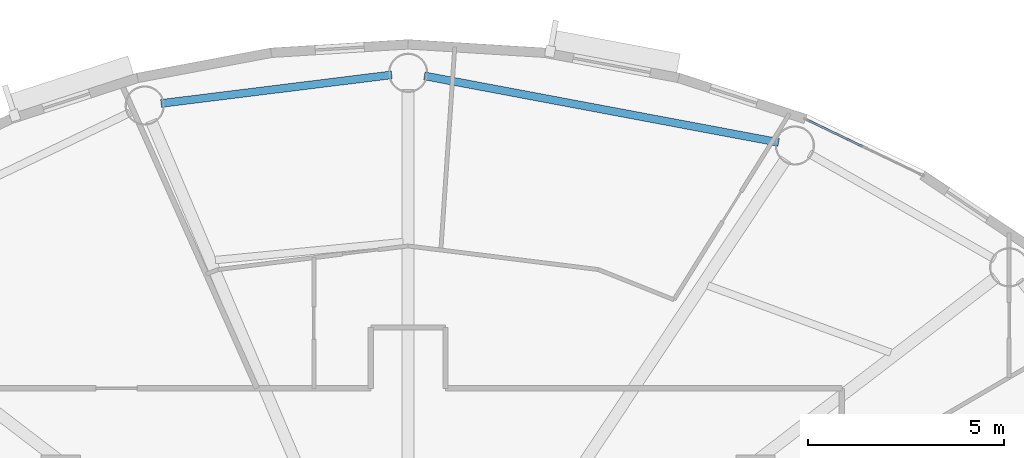
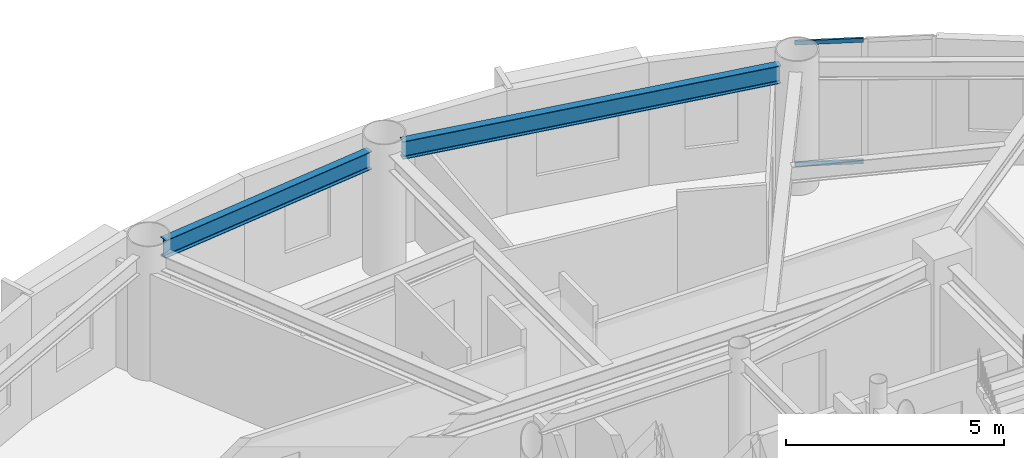
# One storey, part 4 of 17: 2 beams, 2 members, 1 element without a shape of its own.
"""IFC4 building model written with IfcOpenShell, lengths in metres."""

from ifc_helpers import new_model, si_unit, direction, frame, origin, origin_2d, place, context, subcontext, project, spatial, hollow_rectangle, i_section, extrude, source, transform, mapped, material, layer, layer_set, material_profile, profile_set, type_object, element, aggregate, save


model = new_model("IFC4")

# Units and contexts
model_context = context("Model", 3, precision=1e-05, world=origin(), true_north=direction((0.0, 1.0)))
body_context = subcontext(model_context, "Body", "Model", "MODEL_VIEW")
ifc_project = project(units=[si_unit("LENGTHUNIT", "METRE"), si_unit("AREAUNIT", "SQUARE_METRE"), si_unit("VOLUMEUNIT", "CUBIC_METRE"), si_unit("PLANEANGLEUNIT", "RADIAN"), si_unit("MASSUNIT", "GRAM", prefix="KILO")], contexts=[model_context])

# Site, building, storey
site_placement = place(None, origin())
site = spatial("IfcSite", under=ifc_project, at=site_placement, CompositionType="ELEMENT")
building_placement = place(site_placement, origin())
building = spatial("IfcBuilding", under=site, at=building_placement, Name="Linh Dai School and Residence Tower", CompositionType="ELEMENT")
storey_placement = place(building_placement, frame((0.0, 0.0, 314.25)))
storey = spatial("IfcBuildingStorey", under=building, at=storey_placement, Name="L78", CompositionType="ELEMENT", Elevation=314.25)

# Beams
ifc_material_1 = material(Name="Structural Steel S355JR", Category="steel")
ifc_material_profile_1 = material_profile(ifc_material_1, i_section(OverallWidth=0.199951171875, OverallDepth=0.5, WebThickness=0.01025390625, FlangeThickness=0.01611328125, FilletRadius=0.02099609375, at=origin_2d()), Name="IPE 500")
ifc_profile_set_1 = profile_set([ifc_material_profile_1], Name="Structural Steel S355JR")
beam_type = type_object("IfcBeamType", Name="BM-RB50", PredefinedType="BEAM", material=ifc_profile_set_1)
beam_1_placement = place(storey_placement, frame((45.441650390625, 41.916259765625, 3.199951171875), z_axis=(-0.982805333306, 0.184644731378, 0.0), x_axis=(-0.184644731378, -0.982805333306, 0.0)))
element("IfcBeam", 1, at=beam_1_placement, inside=storey, type_object=beam_type, Name="L78 Perimeter Elliptical Ring Beam 04", PredefinedType="BEAM", context=body_context, shape_type="SweptSolid", body=[
    extrude(i_section(OverallWidth=0.199951171875, OverallDepth=0.5, WebThickness=0.01025390625, FlangeThickness=0.01611328125, FilletRadius=0.02099609375, at=origin_2d()), origin(), (0.0, 0.0, 1.0), 9.186767578125),
])
beam_2_placement = place(storey_placement, frame((35.583251953125, 43.638427734375, 3.199951171875), z_axis=(-0.992399134443, -0.123060789678, 0.0), x_axis=(0.123060789678, -0.992399134443, 0.0)))
element("IfcBeam", 2, at=beam_2_placement, inside=storey, type_object=beam_type, Name="L78 Perimeter Elliptical Ring Beam 05", PredefinedType="BEAM", context=body_context, shape_type="SweptSolid", body=[
    extrude(i_section(OverallWidth=0.199951171875, OverallDepth=0.5, WebThickness=0.01025390625, FlangeThickness=0.01611328125, FilletRadius=0.02099609375, at=origin_2d()), origin(), (0.0, 0.0, 1.0), 5.923828125),
])

# Curtain wall, members
ifc_material_2 = material(Name="Aluminium Anodised Curtain Wall", Category="aluminium")
ifc_layer = layer(ifc_material_2, 0.14990234375)
ifc_layer_set = layer_set([ifc_layer], Name="Aluminium Anodised Curtain Wall")
curtain_wall_type = type_object("IfcCurtainWallType", Name="CW-SYS-4", PredefinedType="USERDEFINED", material=ifc_layer_set)
curtain_wall_placement = place(storey_placement, origin())
curtain_wall = element("IfcCurtainWall", 3, at=curtain_wall_placement, inside=storey, type_object=curtain_wall_type, Name="L78 CW4 Curtain Wall 07", ObjectType="RIBBON CURTAIN WALL", PredefinedType="USERDEFINED")
ifc_material_3 = material(Name="Aluminium Alloy 6063-T6", Category="aluminium")
ifc_material_profile_2 = material_profile(ifc_material_3, hollow_rectangle(XDim=0.052001953125, YDim=0.114990234375, WallThickness=0.00390625, at=origin_2d()), Name="RHS 115x52x4")
ifc_profile_set_2 = profile_set([ifc_material_profile_2], Name="Aluminium Alloy 6063-T6")
member_type = type_object("IfcMemberType", Name="CW-SYS-4-TRN", PredefinedType="USERDEFINED", material=ifc_profile_set_2)
shared_shape = source(origin(), body_context, "Body", "SweptSolid", [
    extrude(hollow_rectangle(XDim=0.052001953125, YDim=0.114990234375, WallThickness=0.00390625, at=origin_2d()), origin(), (0.0, 0.0, 1.0), 1.575439453125),
])
member_1_placement = place(storey_placement, frame((46.169921875, 42.48974609375, 0.02587890625), z_axis=(0.901561743679, -0.432650462075, 0.0), x_axis=(0.432650462075, 0.901561743679, 0.0)))
member_1 = element("IfcMember", 4, at=member_1_placement, type_object=member_type, Name="CW4 transom 1.1", ObjectType="TRANSOM", PredefinedType="USERDEFINED", context=body_context, shape_type="MappedRepresentation", body=[
    mapped(shared_shape, transform((0.0, 0.0, 0.0), x_axis=(1.0, 0.0, 0.0), y_axis=(0.0, 1.0, 0.0), z_axis=(0.0, 0.0, 1.0), scale=1.0)),
])
member_2_placement = place(storey_placement, frame((46.169921875, 42.48974609375, 3.424072265625), z_axis=(0.901561743679, -0.432650462075, 0.0), x_axis=(0.432650462075, 0.901561743679, 0.0)))
member_2 = element("IfcMember", 5, at=member_2_placement, type_object=member_type, Name="CW4 transom 1.2", ObjectType="TRANSOM", PredefinedType="USERDEFINED", context=body_context, shape_type="MappedRepresentation", body=[
    mapped(shared_shape, transform((0.0, 0.0, 0.0), x_axis=(1.0, 0.0, 0.0), y_axis=(0.0, 1.0, 0.0), z_axis=(0.0, 0.0, 1.0), scale=1.0)),
])
aggregate(curtain_wall, [member_1, member_2])

save(model, "model.ifc")
